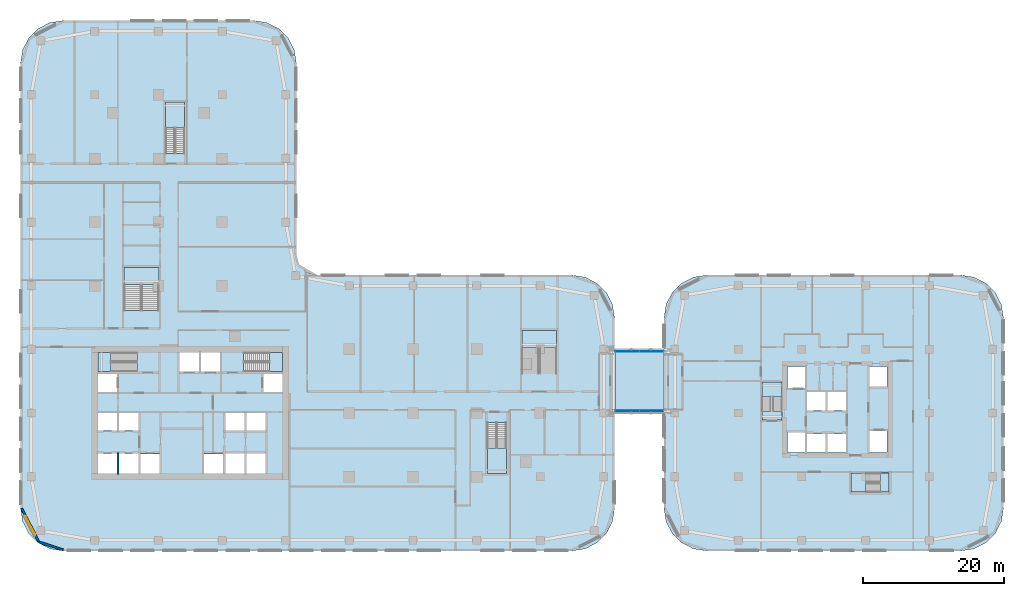
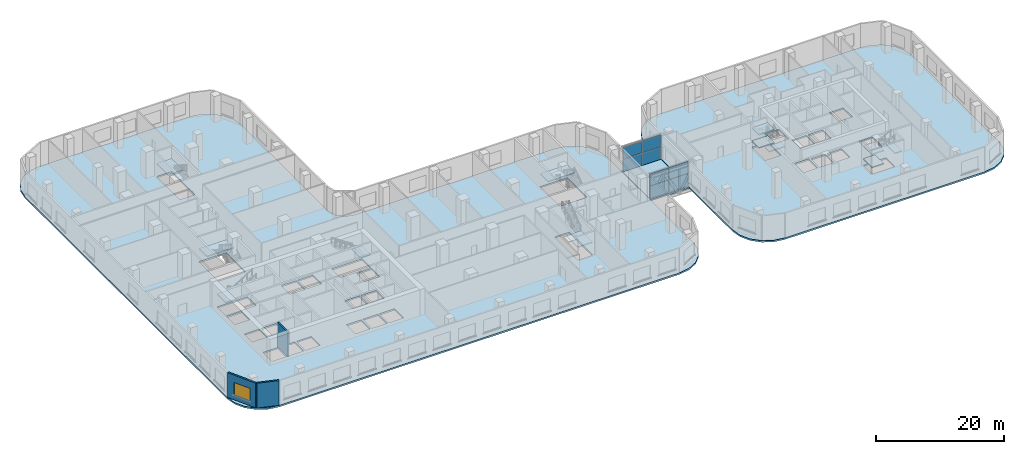
# One storey, part 5 of 35: 15 slabs, 8 plates, 3 walls, 1 window, 1 opening, 10 elements without a shape of their own.
"""IFC4 building model written with IfcOpenShell, lengths in metres."""

import ifcopenshell
import ifcopenshell.guid

model = None  # the IFC model being written
_history = None  # IfcOwnerHistory: only IFC2X3 demands one
_inside = {}  # id of a spatial element -> (the spatial element, [elements in it])
_under = {}  # id of a project, library or spatial element -> (it, [spatial elements below it])
_declared = {}  # id of a project -> (the project, [libraries it declares])
_typed = {}  # id of a type object -> (the type object, [elements of that type])
_made_of = {}  # id of a material, layer set ... -> (it, [elements and type objects made of it])


def new_model(schema):
    """Start an empty IFC model of exactly this schema.

    Asked for "IFC4X3", IfcOpenShell would pick the latest addendum, in which some entities
    have other attributes; the version numbers below select the first issue.
    IFC2X3 requires an IfcOwnerHistory on every rooted entity: one is made here for all.
    """
    global model, _history
    if schema == "IFC4X3":
        model = ifcopenshell.file(schema_version=(4, 3, 0, 0))
    else:
        model = ifcopenshell.file(schema=schema)
    _inside.clear()
    _under.clear()
    _declared.clear()
    _typed.clear()
    _made_of.clear()
    _history = None
    if model.schema == "IFC2X3":
        org = make("IfcOrganization", Name="unknown")
        user = make(
            "IfcPersonAndOrganization",
            ThePerson=make("IfcPerson", FamilyName="unknown"),
            TheOrganization=org,
        )
        app = make(
            "IfcApplication",
            ApplicationDeveloper=org,
            Version="unknown",
            ApplicationFullName="unknown",
            ApplicationIdentifier="unknown",
        )
        _history = make(
            "IfcOwnerHistory",
            OwningUser=user,
            OwningApplication=app,
            ChangeAction="ADDED",
            CreationDate=0,
        )
    return model


def make(cls, **values):
    """One entity of the class cls with the attributes given. An attribute that is None is left unset."""
    return model.create_entity(
        cls, **{name: value for name, value in values.items() if value is not None}
    )


def rooted(cls, **values):
    """An entity with a GlobalId (a new one), such as an element, a storey or a relation."""
    return make(cls, GlobalId=ifcopenshell.guid.new(), OwnerHistory=_history, **values)


def si_unit(unit_type, name, prefix=None):
    """IfcSIUnit, for example si_unit("LENGTHUNIT", "METRE", prefix="MILLI")."""
    return make("IfcSIUnit", UnitType=unit_type, Prefix=prefix, Name=name)


def assignment(units):
    """IfcUnitAssignment: the units of a project."""
    return None if units is None else make("IfcUnitAssignment", Units=units)


def point(xyz):
    """IfcCartesianPoint."""
    return None if xyz is None else make("IfcCartesianPoint", Coordinates=xyz)


def direction(xyz):
    """IfcDirection."""
    return None if xyz is None else make("IfcDirection", DirectionRatios=xyz)


def frame(location, z_axis=None, x_axis=None):
    """IfcAxis2Placement3D, a coordinate frame: its origin and axes. An axis left out is left unset."""
    return make(
        "IfcAxis2Placement3D",
        Location=point(location),
        Axis=direction(z_axis),
        RefDirection=direction(x_axis),
    )


def frame_2d(location, x_axis=None):
    """IfcAxis2Placement2D, a coordinate frame in the plane: its origin and x axis."""
    return make(
        "IfcAxis2Placement2D", Location=point(location), RefDirection=direction(x_axis)
    )


def origin():
    """The frame at (0, 0, 0) with its axes left unset."""
    return frame((0.0, 0.0, 0.0))


def origin_2d():
    """The frame at (0, 0) in the plane with its x axis left unset."""
    return frame_2d((0.0, 0.0))


def place(relative_to, where):
    """IfcLocalPlacement: puts the frame where relative to a parent placement (None: the world)."""
    return make(
        "IfcLocalPlacement", PlacementRelTo=relative_to, RelativePlacement=where
    )


def context(
    kind, dimensions, precision=None, world=None, true_north=None, identifier=None
):
    """IfcGeometricRepresentationContext, for example the 3D "Model" context."""
    return make(
        "IfcGeometricRepresentationContext",
        ContextIdentifier=identifier,
        ContextType=kind,
        CoordinateSpaceDimension=dimensions,
        Precision=precision,
        WorldCoordinateSystem=world,
        TrueNorth=true_north,
    )


def subcontext(parent, identifier, kind, view, scale=None):
    """IfcGeometricRepresentationSubContext, for example "Body" below "Model"."""
    return make(
        "IfcGeometricRepresentationSubContext",
        ContextIdentifier=identifier,
        ContextType=kind,
        ParentContext=parent,
        TargetScale=scale,
        TargetView=view,
    )


def project(units=None, contexts=None):
    """IfcProject with its units and contexts."""
    return rooted(
        "IfcProject",
        Name="project",
        RepresentationContexts=contexts,
        UnitsInContext=assignment(units),
    )


def spatial(cls, under=None, at=None, **own):
    """A site, building, storey or space (cls), placed at a placement, below another one or the project."""
    s = rooted(cls, ObjectPlacement=at, **own)
    if under is not None:
        _under.setdefault(under.id(), (under, []))[1].append(s)
    return s


def polyline(points):
    """IfcPolyline through the points."""
    return make("IfcPolyline", Points=[point(p) for p in points])


def profile(cls, at=None, kind="AREA", **sizes):
    """A parametric profile (cls). Its sizes go by their IFC names, for example OverallWidth=200.0."""
    return make(cls, ProfileType=kind, Position=at, **sizes)


def rectangle(**sizes):
    """IfcRectangleProfileDef."""
    return profile("IfcRectangleProfileDef", **sizes)


def outline(outer, holes=None, kind="AREA"):
    """IfcArbitraryClosedProfileDef: a profile drawn as a closed curve; with holes, ...WithVoids."""
    if holes is None:
        return make("IfcArbitraryClosedProfileDef", ProfileType=kind, OuterCurve=outer)
    return make(
        "IfcArbitraryProfileDefWithVoids",
        ProfileType=kind,
        OuterCurve=outer,
        InnerCurves=holes,
    )


def extrude(swept, where, along, depth):
    """IfcExtrudedAreaSolid: the profile swept, set in the frame where, extruded along a direction by depth."""
    return make(
        "IfcExtrudedAreaSolid",
        SweptArea=swept,
        Position=where,
        ExtrudedDirection=direction(along),
        Depth=depth,
    )


def shape(context_of_items, identifier, shape_type, items):
    """IfcShapeRepresentation: the items that make up one representation, for example the "Body"."""
    return make(
        "IfcShapeRepresentation",
        ContextOfItems=context_of_items,
        RepresentationIdentifier=identifier,
        RepresentationType=shape_type,
        Items=items,
    )


def material(Name=None, Category=None):
    """IfcMaterial."""
    return make("IfcMaterial", Name=Name, Category=Category)


def layer(
    of_material, thickness, ventilated=None, Name=None, Category=None, Priority=None
):
    """IfcMaterialLayer: one layer of a wall or slab, of a material (None: an air gap)."""
    return make(
        "IfcMaterialLayer",
        Material=of_material,
        LayerThickness=thickness,
        IsVentilated=ventilated,
        Name=Name,
        Category=Category,
        Priority=Priority,
    )


def layer_set(layers, Name=None):
    """IfcMaterialLayerSet."""
    return make("IfcMaterialLayerSet", MaterialLayers=layers, LayerSetName=Name)


def made_of(thing, what):
    """Note that an element or type object is made of a material, layer set ...; save() writes the relation."""
    if what is not None:
        _made_of.setdefault(what.id(), (what, []))[1].append(thing)
    return thing


def type_object(cls, material=None, **own):
    """A type object (cls), such as IfcWallType, which elements share."""
    return made_of(rooted(cls, **own), material)


def element(
    cls,
    number,
    at=None,
    inside=None,
    cuts=None,
    type_object=None,
    material=None,
    context=None,
    identifier="Body",
    shape_type=None,
    held_by="IfcProductDefinitionShape",
    body=None,
    shapes=None,
    **own,
):
    """One element of the class cls, such as IfcWall. Its Tag is "e" and its number.

    at: its placement. inside: the storey or other place that contains it. cuts: it is an
    opening in that element (IfcRelVoidsElement). A single representation is given by context,
    identifier, shape_type and body (its items); several are given by shapes. held_by: the class
    of the entity that holds the representations. save() writes the other relations.
    """
    e = rooted(cls, Tag="e%d" % number, ObjectPlacement=at, **own)
    if body is not None:
        shapes = [shape(context, identifier, shape_type, body)]
    if shapes is not None:
        e.Representation = make(held_by, Representations=shapes)
    if inside is not None:
        _inside.setdefault(inside.id(), (inside, []))[1].append(e)
    if cuts is not None:
        rooted(
            "IfcRelVoidsElement", RelatingBuildingElement=cuts, RelatedOpeningElement=e
        )
    if type_object is not None:
        _typed.setdefault(type_object.id(), (type_object, []))[1].append(e)
    return made_of(e, material)


def fill(opening, filler):
    """IfcRelFillsElement: the door or window that sits in an opening."""
    return rooted(
        "IfcRelFillsElement",
        RelatingOpeningElement=opening,
        RelatedBuildingElement=filler,
    )


def aggregate(whole, parts):
    """IfcRelAggregates: a whole, such as a stair, and the parts it consists of."""
    return rooted("IfcRelAggregates", RelatingObject=whole, RelatedObjects=parts)


def save(model, path):
    """Write the relations noted so far, then the file.

    IfcRelAggregates (storeys below a building ...), IfcRelContainedInSpatialStructure (elements
    in a storey), IfcRelDefinesByType, IfcRelAssociatesMaterial and IfcRelDeclares: one each for
    every whole, place, type object, material and project.
    """
    for whole, parts in _under.values():
        aggregate(whole, parts)
    for where, things in _inside.values():
        rooted(
            "IfcRelContainedInSpatialStructure",
            RelatedElements=things,
            RelatingStructure=where,
        )
    for kind, things in _typed.values():
        rooted("IfcRelDefinesByType", RelatedObjects=things, RelatingType=kind)
    for what, things in _made_of.values():
        rooted("IfcRelAssociatesMaterial", RelatedObjects=things, RelatingMaterial=what)
    for by, libraries in _declared.values():
        rooted("IfcRelDeclares", RelatingContext=by, RelatedDefinitions=libraries)
    model.write(path)


model = new_model("IFC4")

# Units and contexts
model_context = context("Model", 3, precision=1e-05, world=origin(), true_north=direction((0.0, 1.0)))
body_context = subcontext(model_context, "Body", "Model", "MODEL_VIEW")
ifc_project = project(units=[si_unit("LENGTHUNIT", "METRE"), si_unit("AREAUNIT", "SQUARE_METRE"), si_unit("VOLUMEUNIT", "CUBIC_METRE"), si_unit("PLANEANGLEUNIT", "RADIAN"), si_unit("MASSUNIT", "GRAM", prefix="KILO")], contexts=[model_context])

# Site, building, storey
site_placement = place(None, origin())
site = spatial("IfcSite", under=ifc_project, at=site_placement, CompositionType="ELEMENT")
building_placement = place(site_placement, origin())
building = spatial("IfcBuilding", under=site, at=building_placement, Name="Ogive Portal Towers", CompositionType="ELEMENT")
storey_placement = place(building_placement, frame((0.0, 0.0, 18.5)))
storey = spatial("IfcBuildingStorey", under=building, at=storey_placement, Name="L03", CompositionType="ELEMENT", Elevation=18.5)

# Curtain wall, plates
ifc_material_1 = material(Name="Glass, clear low-iron insulated glazing", Category="glass")
curtain_wall_type = type_object("IfcCurtainWallType", Name="CW LINK ENCLOSURE", PredefinedType="NOTDEFINED", material=ifc_material_1)
curtain_wall_1_placement = place(storey_placement, origin())
curtain_wall_1 = element("IfcCurtainWall", 1, at=curtain_wall_1_placement, inside=storey, type_object=curtain_wall_type, Name="A:L03:link:s", PredefinedType="NOTDEFINED")
ifc_material_2 = material(Name="Aluminium composite spandrel panel, insulated", Category="aluminium")
ifc_layer_1 = layer(ifc_material_2, 0.06005859375)
ifc_layer_set_1 = layer_set([ifc_layer_1], Name="CW PANEL SPANDREL 60")
plate_type = type_object("IfcPlateType", Name="CW PANEL SPANDREL 60", PredefinedType="CURTAIN_PANEL", material=ifc_layer_set_1)
plate_1_placement = place(storey_placement, frame((106.77490234375, 30.800048828125, 0.0), z_axis=(0.0, 0.0, 1.0), x_axis=(1.0, 0.0, 0.0)))
plate_1 = element("IfcPlate", 2, at=plate_1_placement, type_object=plate_type, Name="spandrel panel", PredefinedType="CURTAIN_PANEL", context=body_context, shape_type="SweptSolid", body=[
    extrude(rectangle(XDim=3.389892578125, YDim=0.06005859375, at=origin_2d()), origin(), (0.0, 0.0, 1.0), 2.3701171875),
])
plate_2_placement = place(storey_placement, frame((106.77490234375, 30.800048828125, 2.429931640625), z_axis=(0.0, 0.0, 1.0), x_axis=(1.0, 0.0, 0.0)))
plate_2 = element("IfcPlate", 3, at=plate_2_placement, type_object=plate_type, Name="spandrel panel", PredefinedType="CURTAIN_PANEL", context=body_context, shape_type="SweptSolid", body=[
    extrude(rectangle(XDim=3.389892578125, YDim=0.06005859375, at=origin_2d()), origin(), (0.0, 0.0, 1.0), 2.2099609375),
])
plate_3_placement = place(storey_placement, frame((110.22509765625, 30.800048828125, 0.0), z_axis=(0.0, 0.0, 1.0), x_axis=(1.0, 0.0, 0.0)))
plate_3 = element("IfcPlate", 4, at=plate_3_placement, type_object=plate_type, Name="spandrel panel", PredefinedType="CURTAIN_PANEL", context=body_context, shape_type="SweptSolid", body=[
    extrude(rectangle(XDim=3.389892578125, YDim=0.06005859375, at=origin_2d()), origin(), (0.0, 0.0, 1.0), 2.3701171875),
])
plate_4_placement = place(storey_placement, frame((110.22509765625, 30.800048828125, 2.429931640625), z_axis=(0.0, 0.0, 1.0), x_axis=(1.0, 0.0, 0.0)))
plate_4 = element("IfcPlate", 5, at=plate_4_placement, type_object=plate_type, Name="spandrel panel", PredefinedType="CURTAIN_PANEL", context=body_context, shape_type="SweptSolid", body=[
    extrude(rectangle(XDim=3.389892578125, YDim=0.06005859375, at=origin_2d()), origin(), (0.0, 0.0, 1.0), 2.2099609375),
])
aggregate(curtain_wall_1, [plate_1, plate_2, plate_3, plate_4])

curtain_wall_2_placement = place(storey_placement, origin())
curtain_wall_2 = element("IfcCurtainWall", 6, at=curtain_wall_2_placement, inside=storey, type_object=curtain_wall_type, Name="A:L03:link:n", PredefinedType="NOTDEFINED")
plate_5_placement = place(storey_placement, frame((106.77490234375, 39.199951171875, 0.0), z_axis=(0.0, 0.0, 1.0), x_axis=(1.0, 0.0, 0.0)))
plate_5 = element("IfcPlate", 7, at=plate_5_placement, type_object=plate_type, Name="spandrel panel", PredefinedType="CURTAIN_PANEL", context=body_context, shape_type="SweptSolid", body=[
    extrude(rectangle(XDim=3.389892578125, YDim=0.06005859375, at=origin_2d()), origin(), (0.0, 0.0, 1.0), 2.3701171875),
])
plate_6_placement = place(storey_placement, frame((106.77490234375, 39.199951171875, 2.429931640625), z_axis=(0.0, 0.0, 1.0), x_axis=(1.0, 0.0, 0.0)))
plate_6 = element("IfcPlate", 8, at=plate_6_placement, type_object=plate_type, Name="spandrel panel", PredefinedType="CURTAIN_PANEL", context=body_context, shape_type="SweptSolid", body=[
    extrude(rectangle(XDim=3.389892578125, YDim=0.06005859375, at=origin_2d()), origin(), (0.0, 0.0, 1.0), 2.2099609375),
])
plate_7_placement = place(storey_placement, frame((110.22509765625, 39.199951171875, 0.0), z_axis=(0.0, 0.0, 1.0), x_axis=(1.0, 0.0, 0.0)))
plate_7 = element("IfcPlate", 9, at=plate_7_placement, type_object=plate_type, Name="spandrel panel", PredefinedType="CURTAIN_PANEL", context=body_context, shape_type="SweptSolid", body=[
    extrude(rectangle(XDim=3.389892578125, YDim=0.06005859375, at=origin_2d()), origin(), (0.0, 0.0, 1.0), 2.3701171875),
])
plate_8_placement = place(storey_placement, frame((110.22509765625, 39.199951171875, 2.429931640625), z_axis=(0.0, 0.0, 1.0), x_axis=(1.0, 0.0, 0.0)))
plate_8 = element("IfcPlate", 10, at=plate_8_placement, type_object=plate_type, Name="spandrel panel", PredefinedType="CURTAIN_PANEL", context=body_context, shape_type="SweptSolid", body=[
    extrude(rectangle(XDim=3.389892578125, YDim=0.06005859375, at=origin_2d()), origin(), (0.0, 0.0, 1.0), 2.2099609375),
])
aggregate(curtain_wall_2, [plate_5, plate_6, plate_7, plate_8])

# Stair, slab
ifc_material_3 = material(Name="Concrete C40/50", Category="concrete")
stair_type = type_object("IfcStairType", Name="INT-STAIR", PredefinedType="HALF_TURN_STAIR", material=ifc_material_3)
stair_1_placement = place(storey_placement, origin())
stair_1 = element("IfcStair", 11, at=stair_1_placement, inside=storey, type_object=stair_type, Name="L03 Exit Stair ST-A1", PredefinedType="HALF_TURN_STAIR")
ifc_layer_2 = layer(ifc_material_3, 0.199951171875)
ifc_layer_set_2 = layer_set([ifc_layer_2], Name="INT-LANDING")
slab_type_1 = type_object("IfcSlabType", Name="INT-LANDING", PredefinedType="LANDING", material=ifc_layer_set_2)
slab_1_placement = place(storey_placement, frame((0.0, 0.0, 2.300048828125)))
slab_1 = element("IfcSlab", 12, at=slab_1_placement, type_object=slab_type_1, Name="ST-A1 landing 1", PredefinedType="LANDING", context=body_context, shape_type="SweptSolid", body=[
    extrude(outline(polyline([(33.81005859375, 39.050048828125), (31.949951171875, 39.050048828125), (31.949951171875, 36.35009765625), (33.81005859375, 36.35009765625), (33.81005859375, 39.050048828125)])), origin(), (0.0, 0.0, 1.0), 0.199951171875),
])
aggregate(stair_1, [slab_1])

stair_2_placement = place(storey_placement, origin())
stair_2 = element("IfcStair", 13, at=stair_2_placement, inside=storey, type_object=stair_type, Name="L03 Exit Stair ST-A2", PredefinedType="HALF_TURN_STAIR")
slab_2_placement = place(storey_placement, frame((0.0, 0.0, 2.300048828125)))
slab_2 = element("IfcSlab", 14, at=slab_2_placement, type_object=slab_type_1, Name="ST-A2 landing 1", PredefinedType="LANDING", context=body_context, shape_type="SweptSolid", body=[
    extrude(outline(polyline([(56.18994140625, 36.35009765625), (58.050048828125, 36.35009765625), (58.050048828125, 39.050048828125), (56.18994140625, 39.050048828125), (56.18994140625, 36.35009765625)])), origin(), (0.0, 0.0, 1.0), 0.199951171875),
])
aggregate(stair_2, [slab_2])

stair_3_placement = place(storey_placement, origin())
stair_3 = element("IfcStair", 15, at=stair_3_placement, inside=storey, type_object=stair_type, Name="L03 Exit Stair ST-A3", PredefinedType="HALF_TURN_STAIR")
slab_3_placement = place(storey_placement, frame((0.0, 0.0, 2.300048828125)))
slab_3 = element("IfcSlab", 16, at=slab_3_placement, type_object=slab_type_1, Name="ST-A3 landing 1", PredefinedType="LANDING", context=body_context, shape_type="SweptSolid", body=[
    extrude(outline(polyline([(44.199951171875, 70.840087890625), (44.199951171875, 74.449951171875), (41.5, 74.449951171875), (41.5, 70.840087890625), (44.199951171875, 70.840087890625)])), origin(), (0.0, 0.0, 1.0), 0.199951171875),
])
aggregate(stair_3, [slab_3])

stair_4_placement = place(storey_placement, origin())
stair_4 = element("IfcStair", 17, at=stair_4_placement, inside=storey, type_object=stair_type, Name="L03 Exit Stair ST-A4", PredefinedType="HALF_TURN_STAIR")
slab_4_placement = place(storey_placement, frame((0.0, 0.0, 2.300048828125)))
slab_4 = element("IfcSlab", 18, at=slab_4_placement, type_object=slab_type_1, Name="ST-A4 landing 1", PredefinedType="LANDING", context=body_context, shape_type="SweptSolid", body=[
    extrude(outline(polyline([(87.0, 25.530029296875), (87.0, 21.949951171875), (89.699951171875, 21.949951171875), (89.699951171875, 25.530029296875), (87.0, 25.530029296875)])), origin(), (0.0, 0.0, 1.0), 0.199951171875),
])
aggregate(stair_4, [slab_4])

# Stair, slabs
stair_5_placement = place(storey_placement, origin())
stair_5 = element("IfcStair", 19, at=stair_5_placement, inside=storey, type_object=stair_type, Name="L03 Exit Stair ST-B1", PredefinedType="HALF_TURN_STAIR")
slab_5_placement = place(storey_placement, frame((0.0, 0.0, 1.050048828125)))
slab_5 = element("IfcSlab", 20, at=slab_5_placement, type_object=slab_type_1, Name="ST-B1 landing 1", PredefinedType="LANDING", context=body_context, shape_type="SweptSolid", body=[
    extrude(outline(polyline([(128.699951171875, 32.760009765625), (128.699951171875, 34.89990234375), (125.85009765625, 34.89990234375), (125.85009765625, 32.760009765625), (128.699951171875, 32.760009765625)])), origin(), (0.0, 0.0, 1.0), 0.199951171875),
])
slab_6_placement = place(storey_placement, frame((0.0, 0.0, 2.300048828125)))
slab_6 = element("IfcSlab", 21, at=slab_6_placement, type_object=slab_type_1, Name="ST-B1 landing 2", PredefinedType="LANDING", context=body_context, shape_type="SweptSolid", body=[
    extrude(outline(polyline([(128.699951171875, 29.5), (128.699951171875, 30.800048828125), (125.85009765625, 30.800048828125), (125.85009765625, 29.5), (128.699951171875, 29.5)])), origin(), (0.0, 0.0, 1.0), 0.199951171875),
])
slab_7_placement = place(storey_placement, frame((0.0, 0.0, 3.550048828125)))
slab_7 = element("IfcSlab", 22, at=slab_7_placement, type_object=slab_type_1, Name="ST-B1 landing 3", PredefinedType="LANDING", context=body_context, shape_type="SweptSolid", body=[
    extrude(outline(polyline([(128.699951171875, 32.760009765625), (128.699951171875, 34.89990234375), (125.85009765625, 34.89990234375), (125.85009765625, 32.760009765625), (128.699951171875, 32.760009765625)])), origin(), (0.0, 0.0, 1.0), 0.199951171875),
])
aggregate(stair_5, [slab_5, slab_6, slab_7])

stair_6_placement = place(storey_placement, origin())
stair_6 = element("IfcStair", 23, at=stair_6_placement, inside=storey, type_object=stair_type, Name="L03 Exit Stair ST-B2", PredefinedType="HALF_TURN_STAIR")
slab_8_placement = place(storey_placement, frame((0.0, 0.0, 1.050048828125)))
slab_8 = element("IfcSlab", 24, at=slab_8_placement, type_object=slab_type_1, Name="ST-B2 landing 1", PredefinedType="LANDING", context=body_context, shape_type="SweptSolid", body=[
    extrude(outline(polyline([(140.590087890625, 22.0), (138.449951171875, 22.0), (138.449951171875, 19.300048828125), (140.590087890625, 19.300048828125), (140.590087890625, 22.0)])), origin(), (0.0, 0.0, 1.0), 0.199951171875),
])
slab_9_placement = place(storey_placement, frame((0.0, 0.0, 2.300048828125)))
slab_9 = element("IfcSlab", 25, at=slab_9_placement, type_object=slab_type_1, Name="ST-B2 landing 2", PredefinedType="LANDING", context=body_context, shape_type="SweptSolid", body=[
    extrude(outline(polyline([(143.85009765625, 22.0), (142.550048828125, 22.0), (142.550048828125, 19.300048828125), (143.85009765625, 19.300048828125), (143.85009765625, 22.0)])), origin(), (0.0, 0.0, 1.0), 0.199951171875),
])
slab_10_placement = place(storey_placement, frame((0.0, 0.0, 3.550048828125)))
slab_10 = element("IfcSlab", 26, at=slab_10_placement, type_object=slab_type_1, Name="ST-B2 landing 3", PredefinedType="LANDING", context=body_context, shape_type="SweptSolid", body=[
    extrude(outline(polyline([(140.590087890625, 22.0), (138.449951171875, 22.0), (138.449951171875, 19.300048828125), (140.590087890625, 19.300048828125), (140.590087890625, 22.0)])), origin(), (0.0, 0.0, 1.0), 0.199951171875),
])
aggregate(stair_6, [slab_8, slab_9, slab_10])

# Stair, slab
stair_7_placement = place(storey_placement, origin())
stair_7 = element("IfcStair", 27, at=stair_7_placement, inside=storey, type_object=stair_type, Name="L03 Exit Stair ST-P1", PredefinedType="HALF_TURN_STAIR")
slab_11_placement = place(storey_placement, frame((0.0, 0.0, 2.300048828125)))
slab_11 = element("IfcSlab", 28, at=slab_11_placement, type_object=slab_type_1, Name="ST-P1 landing 1", PredefinedType="LANDING", context=body_context, shape_type="SweptSolid", body=[
    extrude(outline(polyline([(96.800048828125, 39.68994140625), (96.800048828125, 42.14990234375), (91.89990234375, 42.14990234375), (91.89990234375, 39.68994140625), (96.800048828125, 39.68994140625)])), origin(), (0.0, 0.0, 1.0), 0.199951171875),
])
aggregate(stair_7, [slab_11])

stair_8_placement = place(storey_placement, origin())
stair_8 = element("IfcStair", 29, at=stair_8_placement, inside=storey, type_object=stair_type, Name="L03 Exit Stair ST-P2", PredefinedType="HALF_TURN_STAIR")
slab_12_placement = place(storey_placement, frame((0.0, 0.0, 2.300048828125)))
slab_12 = element("IfcSlab", 30, at=slab_12_placement, type_object=slab_type_1, Name="ST-P2 landing 1", PredefinedType="LANDING", context=body_context, shape_type="SweptSolid", body=[
    extrude(outline(polyline([(40.550048828125, 48.639892578125), (40.550048828125, 51.10009765625), (35.64990234375, 51.10009765625), (35.64990234375, 48.639892578125), (40.550048828125, 48.639892578125)])), origin(), (0.0, 0.0, 1.0), 0.199951171875),
])
aggregate(stair_8, [slab_12])

# Slabs
ifc_material_4 = material(Name="Concrete C45/55", Category="concrete")
ifc_layer_3 = layer(ifc_material_4, 0.300048828125)
ifc_layer_set_3 = layer_set([ifc_layer_3], Name="PT FLAT PLATE 300")
slab_type_2 = type_object("IfcSlabType", Name="PT FLAT PLATE 300", PredefinedType="FLOOR", material=ifc_layer_set_3)
slab_13_placement = place(storey_placement, frame((0.0, 0.0, -0.300048828125)))
element("IfcSlab", 31, at=slab_13_placement, inside=storey, type_object=slab_type_2, Name="Floor slab L03", PredefinedType="FLOOR", context=body_context, shape_type="SweptSolid", body=[
    extrude(outline(polyline([(21.0, 80.0), (21.0, 17.0), (21.293701171875, 15.14599609375), (22.14599609375, 13.473388671875), (23.473388671875, 12.14599609375), (25.14599609375, 11.293701171875), (27.0, 11.0), (99.0, 11.0), (100.85400390625, 11.293701171875), (102.526611328125, 12.14599609375), (103.85400390625, 13.473388671875), (104.706298828125, 15.14599609375), (105.0, 17.0), (105.0, 44.0), (104.706298828125, 45.85400390625), (103.85400390625, 47.526611328125), (102.526611328125, 48.85400390625), (100.85400390625, 49.706298828125), (99.0, 50.0), (63.0, 50.0), (61.5, 50.40185546875), (60.40185546875, 51.5), (60.0, 53.0), (60.0, 80.0), (59.706298828125, 81.85400390625), (58.85400390625, 83.526611328125), (57.526611328125, 84.85400390625), (55.85400390625, 85.706298828125), (54.0, 86.0), (27.0, 86.0), (25.14599609375, 85.706298828125), (23.473388671875, 84.85400390625), (22.14599609375, 83.526611328125), (21.293701171875, 81.85400390625), (21.0, 80.0)]), holes=[polyline([(34.64990234375, 24.75), (34.64990234375, 21.949951171875), (31.949951171875, 21.949951171875), (31.949951171875, 24.75), (34.64990234375, 24.75)]), polyline([(37.64990234375, 24.75), (37.64990234375, 21.949951171875), (34.949951171875, 21.949951171875), (34.949951171875, 24.75), (37.64990234375, 24.75)]), polyline([(40.6298828125, 21.969970703125), (37.969970703125, 21.969970703125), (37.969970703125, 24.72998046875), (40.6298828125, 24.72998046875), (40.6298828125, 21.969970703125)]), polyline([(34.64990234375, 28.050048828125), (31.949951171875, 28.050048828125), (31.949951171875, 30.5), (34.64990234375, 30.5), (34.64990234375, 28.050048828125)]), polyline([(37.64990234375, 28.050048828125), (34.949951171875, 28.050048828125), (34.949951171875, 30.5), (37.64990234375, 30.5), (37.64990234375, 28.050048828125)]), polyline([(34.64990234375, 36.050048828125), (34.64990234375, 33.5), (31.949951171875, 33.5), (31.949951171875, 36.050048828125), (34.64990234375, 36.050048828125)]), polyline([(37.447998046875, 39.048095703125), (37.447998046875, 36.35205078125), (31.951904296875, 36.35205078125), (31.951904296875, 39.048095703125), (37.447998046875, 39.048095703125)]), polyline([(46.199951171875, 36.35009765625), (43.5, 36.35009765625), (43.5, 39.050048828125), (46.199951171875, 39.050048828125), (46.199951171875, 36.35009765625)]), polyline([(49.199951171875, 39.050048828125), (49.199951171875, 36.35009765625), (46.5, 36.35009765625), (46.5, 39.050048828125), (49.199951171875, 39.050048828125)]), polyline([(40.548095703125, 45.001953125), (35.652099609375, 45.001953125), (35.652099609375, 51.097900390625), (40.548095703125, 51.097900390625), (40.548095703125, 45.001953125)]), polyline([(44.197998046875, 67.201904296875), (41.501953125, 67.201904296875), (41.501953125, 74.447998046875), (44.197998046875, 74.447998046875), (44.197998046875, 67.201904296875)]), polyline([(49.6298828125, 21.969970703125), (46.969970703125, 21.969970703125), (46.969970703125, 24.72998046875), (49.6298828125, 24.72998046875), (49.6298828125, 21.969970703125)]), polyline([(52.64990234375, 24.75), (52.64990234375, 21.949951171875), (49.949951171875, 21.949951171875), (49.949951171875, 24.75), (52.64990234375, 24.75)]), polyline([(55.64990234375, 21.949951171875), (52.949951171875, 21.949951171875), (52.949951171875, 24.75), (55.64990234375, 24.75), (55.64990234375, 21.949951171875)]), polyline([(87.001953125, 29.16796875), (89.697998046875, 29.16796875), (89.697998046875, 21.951904296875), (87.001953125, 21.951904296875), (87.001953125, 29.16796875)]), polyline([(52.64990234375, 30.5), (52.64990234375, 28.050048828125), (49.949951171875, 28.050048828125), (49.949951171875, 30.5), (52.64990234375, 30.5)]), polyline([(55.64990234375, 28.050048828125), (52.949951171875, 28.050048828125), (52.949951171875, 30.5), (55.64990234375, 30.5), (55.64990234375, 28.050048828125)]), polyline([(58.050048828125, 36.050048828125), (58.050048828125, 33.5), (55.35009765625, 33.5), (55.35009765625, 36.050048828125), (58.050048828125, 36.050048828125)]), polyline([(52.552001953125, 36.35205078125), (52.552001953125, 39.048095703125), (58.048095703125, 39.048095703125), (58.048095703125, 36.35205078125), (52.552001953125, 36.35205078125)]), polyline([(96.798095703125, 36.052001953125), (91.902099609375, 36.052001953125), (91.902099609375, 42.14794921875), (96.798095703125, 42.14794921875), (96.798095703125, 36.052001953125)])]), origin(), (0.0, 0.0, 1.0), 0.300048828125),
])
slab_14_placement = place(storey_placement, frame((0.0, 0.0, -0.300048828125)))
element("IfcSlab", 32, at=slab_14_placement, inside=storey, type_object=slab_type_2, Name="Floor slab L03", PredefinedType="FLOOR", context=body_context, shape_type="SweptSolid", body=[
    extrude(outline(polyline([(112.0, 44.0), (112.0, 17.0), (112.293701171875, 15.14599609375), (113.14599609375, 13.473388671875), (114.473388671875, 12.14599609375), (116.14599609375, 11.293701171875), (118.0, 11.0), (154.0, 11.0), (155.85400390625, 11.293701171875), (157.526611328125, 12.14599609375), (158.85400390625, 13.473388671875), (159.706298828125, 15.14599609375), (160.0, 17.0), (160.0, 44.0), (159.706298828125, 45.85400390625), (158.85400390625, 47.526611328125), (157.526611328125, 48.85400390625), (155.85400390625, 49.706298828125), (154.0, 50.0), (118.0, 50.0), (116.14599609375, 49.706298828125), (114.473388671875, 48.85400390625), (113.14599609375, 47.526611328125), (112.293701171875, 45.85400390625), (112.0, 44.0)]), holes=[polyline([(128.697998046875, 34.89794921875), (128.697998046875, 30.802001953125), (125.85205078125, 30.802001953125), (125.85205078125, 34.89794921875), (128.697998046875, 34.89794921875)]), polyline([(131.949951171875, 37.050048828125), (131.949951171875, 34.050048828125), (129.449951171875, 34.050048828125), (129.449951171875, 37.050048828125), (131.949951171875, 37.050048828125)]), polyline([(138.451904296875, 21.998046875), (142.548095703125, 21.998046875), (142.548095703125, 19.302001953125), (138.451904296875, 19.302001953125), (138.451904296875, 21.998046875)]), polyline([(134.85009765625, 27.550048828125), (134.85009765625, 24.949951171875), (132.25, 24.949951171875), (132.25, 27.550048828125), (134.85009765625, 27.550048828125)]), polyline([(137.75, 27.550048828125), (137.75, 24.949951171875), (135.14990234375, 24.949951171875), (135.14990234375, 27.550048828125), (137.75, 27.550048828125)]), polyline([(131.949951171875, 27.75), (131.949951171875, 24.949951171875), (129.449951171875, 24.949951171875), (129.449951171875, 27.75), (131.949951171875, 27.75)]), polyline([(143.550048828125, 27.949951171875), (143.550048828125, 24.949951171875), (141.050048828125, 24.949951171875), (141.050048828125, 27.949951171875), (143.550048828125, 27.949951171875)]), polyline([(134.85009765625, 33.449951171875), (134.85009765625, 30.85009765625), (132.25, 30.85009765625), (132.25, 33.449951171875), (134.85009765625, 33.449951171875)]), polyline([(137.75, 33.449951171875), (137.75, 30.85009765625), (135.14990234375, 30.85009765625), (135.14990234375, 33.449951171875), (137.75, 33.449951171875)]), polyline([(143.550048828125, 37.050048828125), (143.550048828125, 34.25), (141.050048828125, 34.25), (141.050048828125, 37.050048828125), (143.550048828125, 37.050048828125)])]), origin(), (0.0, 0.0, 1.0), 0.300048828125),
])
slab_15_placement = place(storey_placement, frame((0.0, 0.0, -0.300048828125)))
element("IfcSlab", 33, at=slab_15_placement, inside=storey, type_object=slab_type_2, Name="Link floor L03", PredefinedType="FLOOR", context=body_context, shape_type="SweptSolid", body=[
    extrude(outline(polyline([(111.949951171875, 30.5), (111.949951171875, 39.5), (105.050048828125, 39.5), (105.050048828125, 30.5), (111.949951171875, 30.5)])), origin(), (0.0, 0.0, 1.0), 0.300048828125),
])

# Wall, opening, window
ifc_material_5 = material(Name="Limestone cladding on lightweight block wall", Category="masonry")
ifc_layer_4 = layer(ifc_material_5, 0.300048828125)
ifc_layer_set_4 = layer_set([ifc_layer_4], Name="EXTERNAL WALL 300 STONE")
wall_type_1 = type_object("IfcWallType", Name="EXTERNAL WALL 300 STONE", PredefinedType="SOLIDWALL", material=ifc_layer_set_4)
wall_1_placement = place(storey_placement, frame((21.166259765625, 17.00390625, 0.0), z_axis=(0.0, 0.0, 1.0), x_axis=(0.454006562826, -0.890998339455, 0.0)))
wall_1 = element("IfcWall", 34, at=wall_1_placement, inside=storey, type_object=wall_type_1, Name="A:L03:f00:w0", PredefinedType="SOLIDWALL", context=body_context, shape_type="SweptSolid", body=[
    extrude(rectangle(XDim=5.251708984375, YDim=0.300048828125, at=frame_2d((2.6259765625, 0.0))), origin(), (0.0, 0.0, 1.0), 4.699951171875),
])
opening_placement = place(wall_1_placement, frame((1.223876953125, 0.0, 0.89990234375)))
opening = element("IfcOpeningElement", 35, at=opening_placement, cuts=wall_1, Name="Opening WN3", PredefinedType="OPENING", context=body_context, shape_type="SweptSolid", body=[
    extrude(rectangle(XDim=3.0, YDim=2.39990234375, at=frame_2d((1.5, 1.199951171875))), frame((0.0, 0.16015625, 0.0), z_axis=(0.0, -1.0, 0.0), x_axis=(1.0, 0.0, 0.0)), (0.0, 0.0, 1.0), 0.320068359375),
])
window_type = type_object("IfcWindowType", Name="WINDOW PODIUM 3000x2400", PartitioningType="SINGLE_PANEL", PredefinedType="WINDOW", material=ifc_material_1)
window_placement = place(opening_placement, origin())
window = element("IfcWindow", 36, at=window_placement, inside=storey, type_object=window_type, Name="A:L03:f00:w0:o0", OverallHeight=2.39990234375, OverallWidth=3.0, PartitioningType="SINGLE_PANEL", PredefinedType="WINDOW", context=body_context, shape_type="SweptSolid", body=[
    extrude(rectangle(XDim=3.0, YDim=2.39990234375, at=frame_2d((1.5, 1.199951171875))), frame((0.0, 0.030029296875, 0.0), z_axis=(0.0, -1.0, 0.0), x_axis=(1.0, 0.0, 0.0)), (0.0, 0.0, 1.0), 0.06005859375),
])
fill(opening, window)

# Walls
wall_2_placement = place(storey_placement, frame((23.637939453125, 12.250244140625, 0.0), z_axis=(0.0, 0.0, 1.0), x_axis=(0.951038127287, -0.309073584194, 0.0)))
element("IfcWall", 37, at=wall_2_placement, inside=storey, type_object=wall_type_1, Name="A:L03:f01:w0", PredefinedType="SOLIDWALL", context=body_context, shape_type="SweptSolid", body=[
    extrude(rectangle(XDim=3.536376953125, YDim=0.300048828125, at=frame_2d((1.76806640625, 0.0))), origin(), (0.0, 0.0, 1.0), 4.699951171875),
])
ifc_layer_5 = layer(ifc_material_3, 0.300048828125)
ifc_layer_set_5 = layer_set([ifc_layer_5], Name="WT-SHAFT-300")
wall_type_2 = type_object("IfcWallType", Name="WT-SHAFT-300", PredefinedType="SOLIDWALL", material=ifc_layer_set_5)
wall_3_placement = place(storey_placement, frame((34.800048828125, 21.800048828125, 0.0), z_axis=(0.0, 0.0, 1.0), x_axis=(0.0, 1.0, 0.0)))
element("IfcWall", 38, at=wall_3_placement, inside=storey, type_object=wall_type_2, Name="Wall pw:010:L03", PredefinedType="SOLIDWALL", context=body_context, shape_type="SweptSolid", body=[
    extrude(rectangle(XDim=3.099853515625, YDim=0.300048828125, at=frame_2d((1.5498046875, 0.0))), origin(), (0.0, 0.0, 1.0), 4.699951171875),
])

save(model, "model.ifc")
